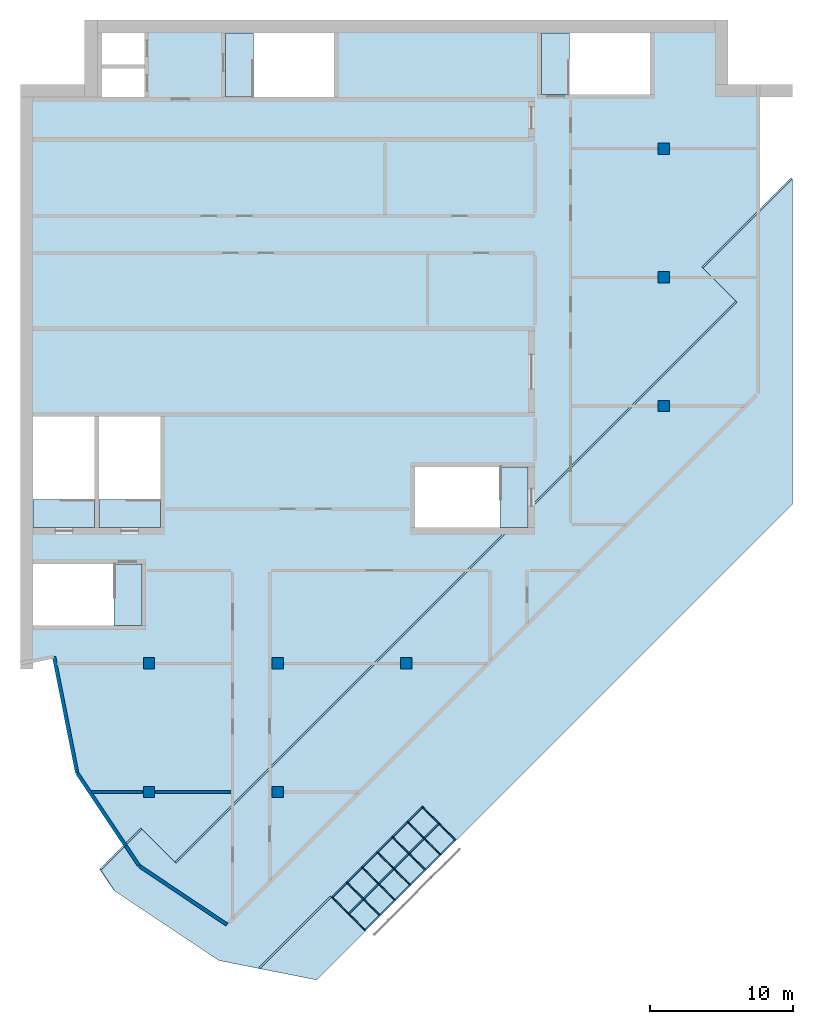
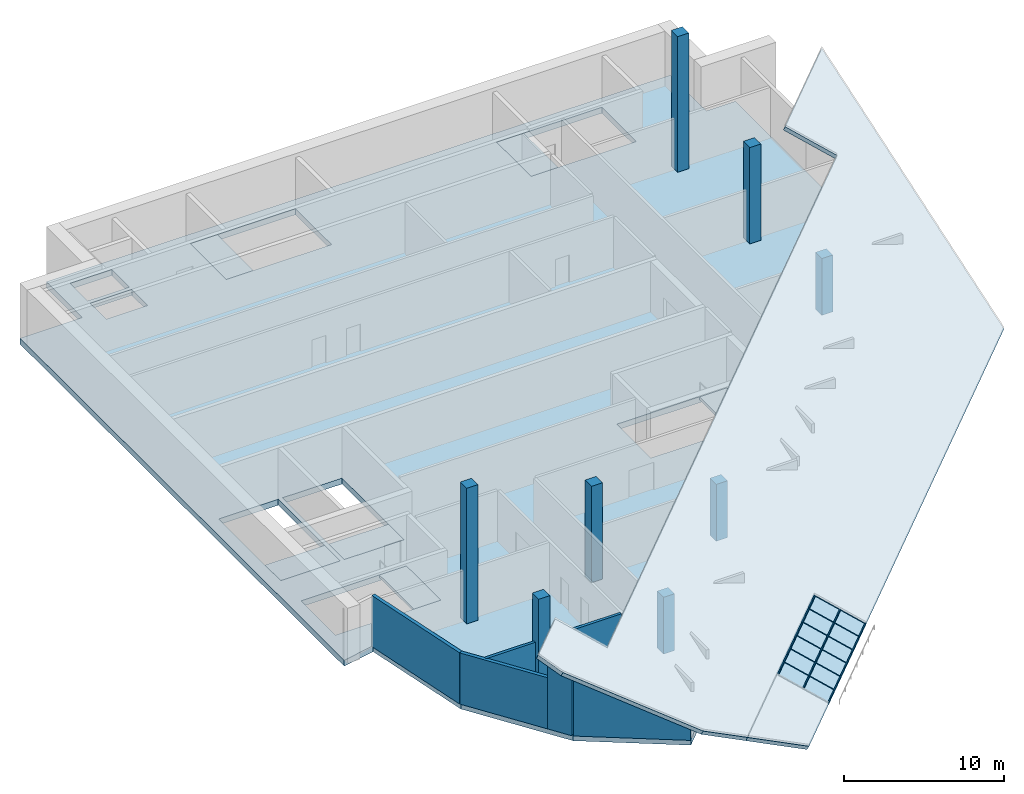
# One storey, part 1 of 5: 17 members, 12 plates, 9 slabs, 8 columns, 6 walls, 1 element without a shape of its own.
"""IFC4 building model written with IfcOpenShell, lengths in metres."""

import ifcopenshell
import ifcopenshell.guid

model = None  # the IFC model being written
_history = None  # IfcOwnerHistory: only IFC2X3 demands one
_inside = {}  # id of a spatial element -> (the spatial element, [elements in it])
_under = {}  # id of a project, library or spatial element -> (it, [spatial elements below it])
_declared = {}  # id of a project -> (the project, [libraries it declares])
_typed = {}  # id of a type object -> (the type object, [elements of that type])
_made_of = {}  # id of a material, layer set ... -> (it, [elements and type objects made of it])


def new_model(schema):
    """Start an empty IFC model of exactly this schema.

    Asked for "IFC4X3", IfcOpenShell would pick the latest addendum, in which some entities
    have other attributes; the version numbers below select the first issue.
    IFC2X3 requires an IfcOwnerHistory on every rooted entity: one is made here for all.
    """
    global model, _history
    if schema == "IFC4X3":
        model = ifcopenshell.file(schema_version=(4, 3, 0, 0))
    else:
        model = ifcopenshell.file(schema=schema)
    _inside.clear()
    _under.clear()
    _declared.clear()
    _typed.clear()
    _made_of.clear()
    _history = None
    if model.schema == "IFC2X3":
        org = make("IfcOrganization", Name="unknown")
        user = make(
            "IfcPersonAndOrganization",
            ThePerson=make("IfcPerson", FamilyName="unknown"),
            TheOrganization=org,
        )
        app = make(
            "IfcApplication",
            ApplicationDeveloper=org,
            Version="unknown",
            ApplicationFullName="unknown",
            ApplicationIdentifier="unknown",
        )
        _history = make(
            "IfcOwnerHistory",
            OwningUser=user,
            OwningApplication=app,
            ChangeAction="ADDED",
            CreationDate=0,
        )
    return model


def make(cls, **values):
    """One entity of the class cls with the attributes given. An attribute that is None is left unset."""
    return model.create_entity(
        cls, **{name: value for name, value in values.items() if value is not None}
    )


def rooted(cls, **values):
    """An entity with a GlobalId (a new one), such as an element, a storey or a relation."""
    return make(cls, GlobalId=ifcopenshell.guid.new(), OwnerHistory=_history, **values)


def si_unit(unit_type, name, prefix=None):
    """IfcSIUnit, for example si_unit("LENGTHUNIT", "METRE", prefix="MILLI")."""
    return make("IfcSIUnit", UnitType=unit_type, Prefix=prefix, Name=name)


def assignment(units):
    """IfcUnitAssignment: the units of a project."""
    return None if units is None else make("IfcUnitAssignment", Units=units)


def point(xyz):
    """IfcCartesianPoint."""
    return None if xyz is None else make("IfcCartesianPoint", Coordinates=xyz)


def direction(xyz):
    """IfcDirection."""
    return None if xyz is None else make("IfcDirection", DirectionRatios=xyz)


def frame(location, z_axis=None, x_axis=None):
    """IfcAxis2Placement3D, a coordinate frame: its origin and axes. An axis left out is left unset."""
    return make(
        "IfcAxis2Placement3D",
        Location=point(location),
        Axis=direction(z_axis),
        RefDirection=direction(x_axis),
    )


def frame_2d(location, x_axis=None):
    """IfcAxis2Placement2D, a coordinate frame in the plane: its origin and x axis."""
    return make(
        "IfcAxis2Placement2D", Location=point(location), RefDirection=direction(x_axis)
    )


def origin():
    """The frame at (0, 0, 0) with its axes left unset."""
    return frame((0.0, 0.0, 0.0))


def origin_2d():
    """The frame at (0, 0) in the plane with its x axis left unset."""
    return frame_2d((0.0, 0.0))


def place(relative_to, where):
    """IfcLocalPlacement: puts the frame where relative to a parent placement (None: the world)."""
    return make(
        "IfcLocalPlacement", PlacementRelTo=relative_to, RelativePlacement=where
    )


def context(
    kind, dimensions, precision=None, world=None, true_north=None, identifier=None
):
    """IfcGeometricRepresentationContext, for example the 3D "Model" context."""
    return make(
        "IfcGeometricRepresentationContext",
        ContextIdentifier=identifier,
        ContextType=kind,
        CoordinateSpaceDimension=dimensions,
        Precision=precision,
        WorldCoordinateSystem=world,
        TrueNorth=true_north,
    )


def subcontext(parent, identifier, kind, view, scale=None):
    """IfcGeometricRepresentationSubContext, for example "Body" below "Model"."""
    return make(
        "IfcGeometricRepresentationSubContext",
        ContextIdentifier=identifier,
        ContextType=kind,
        ParentContext=parent,
        TargetScale=scale,
        TargetView=view,
    )


def project(units=None, contexts=None):
    """IfcProject with its units and contexts."""
    return rooted(
        "IfcProject",
        Name="project",
        RepresentationContexts=contexts,
        UnitsInContext=assignment(units),
    )


def spatial(cls, under=None, at=None, **own):
    """A site, building, storey or space (cls), placed at a placement, below another one or the project."""
    s = rooted(cls, ObjectPlacement=at, **own)
    if under is not None:
        _under.setdefault(under.id(), (under, []))[1].append(s)
    return s


def polyline(points):
    """IfcPolyline through the points."""
    return make("IfcPolyline", Points=[point(p) for p in points])


def profile(cls, at=None, kind="AREA", **sizes):
    """A parametric profile (cls). Its sizes go by their IFC names, for example OverallWidth=200.0."""
    return make(cls, ProfileType=kind, Position=at, **sizes)


def rectangle(**sizes):
    """IfcRectangleProfileDef."""
    return profile("IfcRectangleProfileDef", **sizes)


def outline(outer, holes=None, kind="AREA"):
    """IfcArbitraryClosedProfileDef: a profile drawn as a closed curve; with holes, ...WithVoids."""
    if holes is None:
        return make("IfcArbitraryClosedProfileDef", ProfileType=kind, OuterCurve=outer)
    return make(
        "IfcArbitraryProfileDefWithVoids",
        ProfileType=kind,
        OuterCurve=outer,
        InnerCurves=holes,
    )


def extrude(swept, where, along, depth):
    """IfcExtrudedAreaSolid: the profile swept, set in the frame where, extruded along a direction by depth."""
    return make(
        "IfcExtrudedAreaSolid",
        SweptArea=swept,
        Position=where,
        ExtrudedDirection=direction(along),
        Depth=depth,
    )


def shape(context_of_items, identifier, shape_type, items):
    """IfcShapeRepresentation: the items that make up one representation, for example the "Body"."""
    return make(
        "IfcShapeRepresentation",
        ContextOfItems=context_of_items,
        RepresentationIdentifier=identifier,
        RepresentationType=shape_type,
        Items=items,
    )


def material(Name=None, Category=None):
    """IfcMaterial."""
    return make("IfcMaterial", Name=Name, Category=Category)


def layer(
    of_material, thickness, ventilated=None, Name=None, Category=None, Priority=None
):
    """IfcMaterialLayer: one layer of a wall or slab, of a material (None: an air gap)."""
    return make(
        "IfcMaterialLayer",
        Material=of_material,
        LayerThickness=thickness,
        IsVentilated=ventilated,
        Name=Name,
        Category=Category,
        Priority=Priority,
    )


def layer_set(layers, Name=None):
    """IfcMaterialLayerSet."""
    return make("IfcMaterialLayerSet", MaterialLayers=layers, LayerSetName=Name)


def material_profile(
    of_material, cross_section, Name=None, Category=None, Priority=None
):
    """IfcMaterialProfile: a cross section and its material."""
    return make(
        "IfcMaterialProfile",
        Name=Name,
        Material=of_material,
        Profile=cross_section,
        Priority=Priority,
        Category=Category,
    )


def profile_set(profiles, Name=None, composite=None):
    """IfcMaterialProfileSet."""
    return make(
        "IfcMaterialProfileSet",
        Name=Name,
        MaterialProfiles=profiles,
        CompositeProfile=composite,
    )


def made_of(thing, what):
    """Note that an element or type object is made of a material, layer set ...; save() writes the relation."""
    if what is not None:
        _made_of.setdefault(what.id(), (what, []))[1].append(thing)
    return thing


def type_object(cls, material=None, **own):
    """A type object (cls), such as IfcWallType, which elements share."""
    return made_of(rooted(cls, **own), material)


def element(
    cls,
    number,
    at=None,
    inside=None,
    cuts=None,
    type_object=None,
    material=None,
    context=None,
    identifier="Body",
    shape_type=None,
    held_by="IfcProductDefinitionShape",
    body=None,
    shapes=None,
    **own,
):
    """One element of the class cls, such as IfcWall. Its Tag is "e" and its number.

    at: its placement. inside: the storey or other place that contains it. cuts: it is an
    opening in that element (IfcRelVoidsElement). A single representation is given by context,
    identifier, shape_type and body (its items); several are given by shapes. held_by: the class
    of the entity that holds the representations. save() writes the other relations.
    """
    e = rooted(cls, Tag="e%d" % number, ObjectPlacement=at, **own)
    if body is not None:
        shapes = [shape(context, identifier, shape_type, body)]
    if shapes is not None:
        e.Representation = make(held_by, Representations=shapes)
    if inside is not None:
        _inside.setdefault(inside.id(), (inside, []))[1].append(e)
    if cuts is not None:
        rooted(
            "IfcRelVoidsElement", RelatingBuildingElement=cuts, RelatedOpeningElement=e
        )
    if type_object is not None:
        _typed.setdefault(type_object.id(), (type_object, []))[1].append(e)
    return made_of(e, material)


def aggregate(whole, parts):
    """IfcRelAggregates: a whole, such as a stair, and the parts it consists of."""
    return rooted("IfcRelAggregates", RelatingObject=whole, RelatedObjects=parts)


def save(model, path):
    """Write the relations noted so far, then the file.

    IfcRelAggregates (storeys below a building ...), IfcRelContainedInSpatialStructure (elements
    in a storey), IfcRelDefinesByType, IfcRelAssociatesMaterial and IfcRelDeclares: one each for
    every whole, place, type object, material and project.
    """
    for whole, parts in _under.values():
        aggregate(whole, parts)
    for where, things in _inside.values():
        rooted(
            "IfcRelContainedInSpatialStructure",
            RelatedElements=things,
            RelatingStructure=where,
        )
    for kind, things in _typed.values():
        rooted("IfcRelDefinesByType", RelatedObjects=things, RelatingType=kind)
    for what, things in _made_of.values():
        rooted("IfcRelAssociatesMaterial", RelatedObjects=things, RelatingMaterial=what)
    for by, libraries in _declared.values():
        rooted("IfcRelDeclares", RelatingContext=by, RelatedDefinitions=libraries)
    model.write(path)


model = new_model("IFC4")

# Units and contexts
model_context = context("Model", 3, precision=1e-05, world=origin(), true_north=direction((0.0, 1.0)))
body_context = subcontext(model_context, "Body", "Model", "MODEL_VIEW")
ifc_project = project(units=[si_unit("LENGTHUNIT", "METRE"), si_unit("AREAUNIT", "SQUARE_METRE"), si_unit("VOLUMEUNIT", "CUBIC_METRE"), si_unit("PLANEANGLEUNIT", "RADIAN"), si_unit("MASSUNIT", "GRAM", prefix="KILO")], contexts=[model_context])

# Site, building, storey
site_placement = place(None, origin())
site = spatial("IfcSite", under=ifc_project, at=site_placement, CompositionType="ELEMENT")
building_placement = place(site_placement, origin())
building = spatial("IfcBuilding", under=site, at=building_placement, Name="Hunhe Ridgeline Campus", CompositionType="ELEMENT")
storey_placement = place(building_placement, frame((0.0, 0.0, 307.199951171875)))
storey = spatial("IfcBuildingStorey", under=building, at=storey_placement, Name="L79 Crown", CompositionType="ELEMENT", Elevation=307.199951171875)

# Columns
ifc_material_1 = material(Name="Concrete C50", Category="concrete")
ifc_material_profile_1 = material_profile(ifc_material_1, rectangle(XDim=0.800048828125, YDim=0.800048828125, at=origin_2d()))
ifc_profile_set_1 = profile_set([ifc_material_profile_1], Name="Concrete C50")
column_type = type_object("IfcColumnType", Name="RC column 800x800 Concrete C50", PredefinedType="COLUMN", material=ifc_profile_set_1)
column_1_placement = place(storey_placement, frame((9.0, 45.0, 0.0), z_axis=(0.0, 0.0, 1.0), x_axis=(1.0, 0.0, 0.0)))
element("IfcColumn", 1, at=column_1_placement, inside=storey, type_object=column_type, Name="Column C17 F2 L79 Crown", PredefinedType="COLUMN", context=body_context, shape_type="SweptSolid", body=[
    extrude(rectangle(XDim=0.800048828125, YDim=0.800048828125, at=origin_2d()), origin(), (0.0, 0.0, 1.0), 7.340576171875),
])
column_2_placement = place(storey_placement, frame((9.0, 54.0, 0.0), z_axis=(0.0, 0.0, 1.0), x_axis=(1.0, 0.0, 0.0)))
element("IfcColumn", 2, at=column_2_placement, inside=storey, type_object=column_type, Name="Column C17 G2 L79 Crown", PredefinedType="COLUMN", context=body_context, shape_type="SweptSolid", body=[
    extrude(rectangle(XDim=0.800048828125, YDim=0.800048828125, at=origin_2d()), origin(), (0.0, 0.0, 1.0), 10.3408203125),
])
column_3_placement = place(storey_placement, frame((18.0, 45.0, 0.0), z_axis=(0.0, 0.0, 1.0), x_axis=(1.0, 0.0, 0.0)))
element("IfcColumn", 3, at=column_3_placement, inside=storey, type_object=column_type, Name="Column C17 F3 L79 Crown", PredefinedType="COLUMN", context=body_context, shape_type="SweptSolid", body=[
    extrude(rectangle(XDim=0.800048828125, YDim=0.800048828125, at=origin_2d()), origin(), (0.0, 0.0, 1.0), 4.34033203125),
])
column_4_placement = place(storey_placement, frame((18.0, 54.0, 0.0), z_axis=(0.0, 0.0, 1.0), x_axis=(1.0, 0.0, 0.0)))
element("IfcColumn", 4, at=column_4_placement, inside=storey, type_object=column_type, Name="Column C17 G3 L79 Crown", PredefinedType="COLUMN", context=body_context, shape_type="SweptSolid", body=[
    extrude(rectangle(XDim=0.800048828125, YDim=0.800048828125, at=origin_2d()), origin(), (0.0, 0.0, 1.0), 7.340576171875),
])
for number, where, z_axis, x_axis, name in (
    (5, (27.0, 54.0, 0.0), (0.0, 0.0, 1.0), (1.0, 0.0, 0.0), "Column C17 G4 L79 Crown"),
    (6, (45.0, 72.0, 0.0), (0.0, 0.0, 1.0), (1.0, 0.0, 0.0), "Column C17 I6 L79 Crown"),
):
    element("IfcColumn", number, at=place(storey_placement, frame(where, z_axis=z_axis, x_axis=x_axis)), inside=storey, type_object=column_type, Name=name, PredefinedType="COLUMN", context=body_context, shape_type="SweptSolid", body=[
        extrude(rectangle(XDim=0.800048828125, YDim=0.800048828125, at=origin_2d()), origin(), (0.0, 0.0, 1.0), 4.34033203125),
    ])
column_5_placement = place(storey_placement, frame((45.0, 81.0, 0.0), z_axis=(0.0, 0.0, 1.0), x_axis=(1.0, 0.0, 0.0)))
element("IfcColumn", 7, at=column_5_placement, inside=storey, type_object=column_type, Name="Column C17 J6 L79 Crown", PredefinedType="COLUMN", context=body_context, shape_type="SweptSolid", body=[
    extrude(rectangle(XDim=0.800048828125, YDim=0.800048828125, at=origin_2d()), origin(), (0.0, 0.0, 1.0), 7.340576171875),
])
column_6_placement = place(storey_placement, frame((45.0, 90.0, 0.0), z_axis=(0.0, 0.0, 1.0), x_axis=(1.0, 0.0, 0.0)))
element("IfcColumn", 8, at=column_6_placement, inside=storey, type_object=column_type, Name="Column C17 K6 L79 Crown", PredefinedType="COLUMN", context=body_context, shape_type="SweptSolid", body=[
    extrude(rectangle(XDim=0.800048828125, YDim=0.800048828125, at=origin_2d()), origin(), (0.0, 0.0, 1.0), 10.3408203125),
])

# Curtain wall, members
ifc_material_2 = material(Name="Aluminium 6063", Category="aluminium")
curtain_wall_type = type_object("IfcCurtainWallType", Name="Curtain wall CW-6", PredefinedType="NOTDEFINED", material=ifc_material_2)
curtain_wall_placement = place(storey_placement, origin())
curtain_wall = element("IfcCurtainWall", 9, at=curtain_wall_placement, inside=storey, type_object=curtain_wall_type, Name="Rooflight 1", PredefinedType="NOTDEFINED")
ifc_material_profile_2 = material_profile(ifc_material_2, rectangle(XDim=0.070068359375, YDim=0.199951171875, at=origin_2d()))
ifc_profile_set_2 = profile_set([ifc_material_profile_2], Name="Aluminium 6063")
member_type_1 = type_object("IfcMemberType", Name="CW-6 aluminium mullion", PredefinedType="MULLION", material=ifc_profile_set_2)
member_1_placement = place(storey_placement, frame((30.376220703125, 41.69921875, -0.429443359375), z_axis=(-0.639562831882, 0.639562831882, 0.426519364332), x_axis=(-0.707106781187, -0.707106781187, 0.0)))
member_1 = element("IfcMember", 10, at=member_1_placement, type_object=member_type_1, Name="E-L79 Crown-RL-01/M0-00", PredefinedType="MULLION", context=body_context, shape_type="SweptSolid", body=[
    extrude(rectangle(XDim=0.070068359375, YDim=0.199951171875, at=origin_2d()), origin(), (0.0, 0.0, 1.0), 1.69384765625),
])
member_2_placement = place(storey_placement, frame((29.34033203125, 40.663330078125, -0.429443359375), z_axis=(-0.639562831882, 0.639562831882, 0.426519364332), x_axis=(-0.707106781187, -0.707106781187, 0.0)))
member_2 = element("IfcMember", 11, at=member_2_placement, type_object=member_type_1, Name="E-L79 Crown-RL-01/M0-01", PredefinedType="MULLION", context=body_context, shape_type="SweptSolid", body=[
    extrude(rectangle(XDim=0.070068359375, YDim=0.199951171875, at=origin_2d()), origin(), (0.0, 0.0, 1.0), 1.69384765625),
])
member_3_placement = place(storey_placement, frame((28.279541015625, 39.6025390625, -0.429443359375), z_axis=(-0.639503873019, 0.639648002808, 0.426480045135), x_axis=(-0.707186450701, -0.707027102695, 0.0)))
member_3 = element("IfcMember", 12, at=member_3_placement, type_object=member_type_1, Name="E-L79 Crown-RL-01/M0-02", PredefinedType="MULLION", context=body_context, shape_type="SweptSolid", body=[
    extrude(rectangle(XDim=0.070068359375, YDim=0.199951171875, at=origin_2d()), origin(), (0.0, 0.0, 1.0), 1.69384765625),
])
member_4_placement = place(storey_placement, frame((27.218994140625, 38.5419921875, -0.429443359375), z_axis=(-0.639562831882, 0.639562831882, 0.426519364332), x_axis=(-0.707106781187, -0.707106781187, 0.0)))
member_4 = element("IfcMember", 13, at=member_4_placement, type_object=member_type_1, Name="E-L79 Crown-RL-01/M0-03", PredefinedType="MULLION", context=body_context, shape_type="SweptSolid", body=[
    extrude(rectangle(XDim=0.070068359375, YDim=0.199951171875, at=origin_2d()), origin(), (0.0, 0.0, 1.0), 1.69384765625),
])
member_5_placement = place(storey_placement, frame((26.158203125, 37.4814453125, -0.429443359375), z_axis=(-0.639562831882, 0.639562831882, 0.426519364332), x_axis=(-0.707106781187, -0.707106781187, 0.0)))
member_5 = element("IfcMember", 14, at=member_5_placement, type_object=member_type_1, Name="E-L79 Crown-RL-01/M0-04", PredefinedType="MULLION", context=body_context, shape_type="SweptSolid", body=[
    extrude(rectangle(XDim=0.070068359375, YDim=0.199951171875, at=origin_2d()), origin(), (0.0, 0.0, 1.0), 1.69384765625),
])
member_6_placement = place(storey_placement, frame((25.09765625, 36.420654296875, -0.429443359375), z_axis=(-0.639562831882, 0.639562831882, 0.426519364332), x_axis=(-0.707106781187, -0.707106781187, 0.0)))
member_6 = element("IfcMember", 15, at=member_6_placement, type_object=member_type_1, Name="E-L79 Crown-RL-01/M0-05", PredefinedType="MULLION", context=body_context, shape_type="SweptSolid", body=[
    extrude(rectangle(XDim=0.070068359375, YDim=0.199951171875, at=origin_2d()), origin(), (0.0, 0.0, 1.0), 1.69384765625),
])
member_7_placement = place(storey_placement, frame((24.061767578125, 35.384765625, -0.429443359375), z_axis=(-0.639562831882, 0.639562831882, 0.426519364332), x_axis=(-0.707106781187, -0.707106781187, 0.0)))
member_7 = element("IfcMember", 16, at=member_7_placement, type_object=member_type_1, Name="E-L79 Crown-RL-01/M0-06", PredefinedType="MULLION", context=body_context, shape_type="SweptSolid", body=[
    extrude(rectangle(XDim=0.070068359375, YDim=0.199951171875, at=origin_2d()), origin(), (0.0, 0.0, 1.0), 1.69384765625),
])
member_8_placement = place(storey_placement, frame((29.22216796875, 42.853271484375, 0.340087890625), z_axis=(-0.639602149067, 0.639602149067, 0.426401432711), x_axis=(-0.707106781187, -0.707106781187, 0.0)))
member_8 = element("IfcMember", 17, at=member_8_placement, type_object=member_type_1, Name="E-L79 Crown-RL-01/M1-00", PredefinedType="MULLION", context=body_context, shape_type="SweptSolid", body=[
    extrude(rectangle(XDim=0.070068359375, YDim=0.199951171875, at=origin_2d()), origin(), (0.0, 0.0, 1.0), 1.693603515625),
])
member_9_placement = place(storey_placement, frame((28.186279296875, 41.8173828125, 0.340087890625), z_axis=(-0.639602149067, 0.639602149067, 0.426401432711), x_axis=(-0.707106781187, -0.707106781187, 0.0)))
member_9 = element("IfcMember", 18, at=member_9_placement, type_object=member_type_1, Name="E-L79 Crown-RL-01/M1-01", PredefinedType="MULLION", context=body_context, shape_type="SweptSolid", body=[
    extrude(rectangle(XDim=0.070068359375, YDim=0.199951171875, at=origin_2d()), origin(), (0.0, 0.0, 1.0), 1.693603515625),
])
member_10_placement = place(storey_placement, frame((27.125732421875, 40.756591796875, 0.340087890625), z_axis=(-0.639687317978, 0.63954317933, 0.426362119554), x_axis=(-0.707027102695, -0.707186450701, 0.0)))
member_10 = element("IfcMember", 19, at=member_10_placement, type_object=member_type_1, Name="E-L79 Crown-RL-01/M1-02", PredefinedType="MULLION", context=body_context, shape_type="SweptSolid", body=[
    extrude(rectangle(XDim=0.070068359375, YDim=0.199951171875, at=origin_2d()), origin(), (0.0, 0.0, 1.0), 1.69384765625),
])
member_11_placement = place(storey_placement, frame((26.06494140625, 39.696044921875, 0.340087890625), z_axis=(-0.639602149067, 0.639602149067, 0.426401432711), x_axis=(-0.707106781187, -0.707106781187, 0.0)))
member_11 = element("IfcMember", 20, at=member_11_placement, type_object=member_type_1, Name="E-L79 Crown-RL-01/M1-03", PredefinedType="MULLION", context=body_context, shape_type="SweptSolid", body=[
    extrude(rectangle(XDim=0.070068359375, YDim=0.199951171875, at=origin_2d()), origin(), (0.0, 0.0, 1.0), 1.693603515625),
])
member_12_placement = place(storey_placement, frame((25.00439453125, 38.63525390625, 0.340087890625), z_axis=(-0.639687317978, 0.63954317933, 0.426362119554), x_axis=(-0.707027102695, -0.707186450701, 0.0)))
member_12 = element("IfcMember", 21, at=member_12_placement, type_object=member_type_1, Name="E-L79 Crown-RL-01/M1-04", PredefinedType="MULLION", context=body_context, shape_type="SweptSolid", body=[
    extrude(rectangle(XDim=0.070068359375, YDim=0.199951171875, at=origin_2d()), origin(), (0.0, 0.0, 1.0), 1.69384765625),
])
member_13_placement = place(storey_placement, frame((23.943603515625, 37.57470703125, 0.340087890625), z_axis=(-0.639602149067, 0.639602149067, 0.426401432711), x_axis=(-0.707106781187, -0.707106781187, 0.0)))
member_13 = element("IfcMember", 22, at=member_13_placement, type_object=member_type_1, Name="E-L79 Crown-RL-01/M1-05", PredefinedType="MULLION", context=body_context, shape_type="SweptSolid", body=[
    extrude(rectangle(XDim=0.070068359375, YDim=0.199951171875, at=origin_2d()), origin(), (0.0, 0.0, 1.0), 1.693603515625),
])
member_14_placement = place(storey_placement, frame((22.90771484375, 36.538818359375, 0.340087890625), z_axis=(-0.639602149067, 0.639602149067, 0.426401432711), x_axis=(-0.707106781187, -0.707106781187, 0.0)))
member_14 = element("IfcMember", 23, at=member_14_placement, type_object=member_type_1, Name="E-L79 Crown-RL-01/M1-06", PredefinedType="MULLION", context=body_context, shape_type="SweptSolid", body=[
    extrude(rectangle(XDim=0.070068359375, YDim=0.199951171875, at=origin_2d()), origin(), (0.0, 0.0, 1.0), 1.693603515625),
])
ifc_material_profile_3 = material_profile(ifc_material_2, rectangle(XDim=0.10009765625, YDim=0.159912109375, at=origin_2d()))
ifc_profile_set_3 = profile_set([ifc_material_profile_3], Name="Aluminium 6063")
member_type_2 = type_object("IfcMemberType", Name="CW-6 aluminium transom", PredefinedType="USERDEFINED", material=ifc_profile_set_3)
member_15_placement = place(storey_placement, frame((30.4423828125, 41.6826171875, -0.434814453125), z_axis=(-0.707106781187, -0.707106781187, 0.0), x_axis=(0.707106781187, -0.707106781187, 0.0)))
member_15 = element("IfcMember", 24, at=member_15_placement, type_object=member_type_2, Name="E-L79 Crown-RL-01/T0", ObjectType="TRANSOM", PredefinedType="USERDEFINED", context=body_context, shape_type="SweptSolid", body=[
    extrude(rectangle(XDim=0.10009765625, YDim=0.159912109375, at=origin_2d()), origin(), (0.0, 0.0, 1.0), 9.0),
])
member_16_placement = place(storey_placement, frame((29.288330078125, 42.836669921875, 0.33447265625), z_axis=(-0.707106781187, -0.707106781187, 0.0), x_axis=(0.707106781187, -0.707106781187, 0.0)))
member_16 = element("IfcMember", 25, at=member_16_placement, type_object=member_type_2, Name="E-L79 Crown-RL-01/T1", ObjectType="TRANSOM", PredefinedType="USERDEFINED", context=body_context, shape_type="SweptSolid", body=[
    extrude(rectangle(XDim=0.10009765625, YDim=0.159912109375, at=origin_2d()), origin(), (0.0, 0.0, 1.0), 9.0),
])
member_17_placement = place(storey_placement, frame((28.13427734375, 43.990478515625, 1.10400390625), z_axis=(-0.707120344572, -0.70709321754, 0.0), x_axis=(0.70709321754, -0.707120344572, 0.0)))
member_17 = element("IfcMember", 26, at=member_17_placement, type_object=member_type_2, Name="E-L79 Crown-RL-01/T2", ObjectType="TRANSOM", PredefinedType="USERDEFINED", context=body_context, shape_type="SweptSolid", body=[
    extrude(rectangle(XDim=0.10009765625, YDim=0.159912109375, at=origin_2d()), origin(), (0.0, 0.0, 1.0), 9.0),
])

# Slabs
ifc_material_3 = material(Name="Concrete C40", Category="concrete")
ifc_layer_1 = layer(ifc_material_3, 0.449951171875)
ifc_layer_set_1 = layer_set([ifc_layer_1], Name="Floor slab 450 Concrete C40")
slab_type_1 = type_object("IfcSlabType", Name="Floor slab 450 Concrete C40", PredefinedType="FLOOR", material=ifc_layer_set_1)
slab_1_placement = place(storey_placement, frame((0.0, 0.0, -0.449951171875)))
element("IfcSlab", 27, at=slab_1_placement, inside=storey, type_object=slab_type_1, Name="Floor slab L79 Crown 1", PredefinedType="FLOOR", context=body_context, shape_type="SweptSolid", body=[
    extrude(outline(polyline([(8.321044921875, 39.821044921875), (14.447998046875, 35.727294921875), (51.59912109375, 72.878173828125), (51.59912109375, 94.5), (49.5, 94.5), (49.5, 99.0), (4.5, 99.0), (4.5, 94.5), (0.0, 94.5), (0.0, 54.0009765625), (2.354736328125, 54.46875), (3.974365234375, 46.326416015625), (8.321044921875, 39.821044921875)]), holes=[polyline([(44.050048828125, 98.10009765625), (36.449951171875, 98.10009765625), (36.449951171875, 93.800048828125), (44.050048828125, 93.800048828125), (44.050048828125, 98.10009765625)]), polyline([(27.60009765625, 67.75), (27.60009765625, 63.5), (35.5, 63.5), (35.5, 67.75), (27.60009765625, 67.75)]), polyline([(21.949951171875, 98.10009765625), (14.35009765625, 98.10009765625), (14.35009765625, 93.60009765625), (21.949951171875, 93.60009765625), (21.949951171875, 98.10009765625)]), polyline([(5.5, 63.5), (9.800048828125, 63.5), (9.800048828125, 71.25), (5.5, 71.25), (5.5, 63.5)]), polyline([(5.699951171875, 93.60009765625), (8.699951171875, 93.60009765625), (8.699951171875, 95.60009765625), (5.699951171875, 95.60009765625), (5.699951171875, 93.60009765625)]), polyline([(5.699951171875, 98.10009765625), (5.699951171875, 95.89990234375), (8.699951171875, 95.89990234375), (8.699951171875, 98.10009765625), (5.699951171875, 98.10009765625)]), polyline([(0.89990234375, 60.949951171875), (0.89990234375, 56.64990234375), (8.5, 56.64990234375), (8.5, 60.949951171875), (0.89990234375, 60.949951171875)]), polyline([(5.199951171875, 63.5), (5.199951171875, 71.25), (0.89990234375, 71.25), (0.89990234375, 63.5), (5.199951171875, 63.5)])]), origin(), (0.0, 0.0, 1.0), 0.449951171875),
])
ifc_layer_2 = layer(ifc_material_3, 0.199951171875)
ifc_layer_set_2 = layer_set([ifc_layer_2], Name="Reinforced concrete stair landing 200 Concrete C40")
slab_type_2 = type_object("IfcSlabType", Name="Reinforced concrete stair landing 200 Concrete C40", PredefinedType="LANDING", material=ifc_layer_set_2)
slab_2_placement = place(storey_placement, frame((0.0, 0.0, -0.199951171875)))
element("IfcSlab", 28, at=slab_2_placement, inside=storey, type_object=slab_type_2, Name="L79 Crown stair S1 floor landing", PredefinedType="LANDING", context=body_context, shape_type="SweptSolid", body=[
    extrude(outline(polyline([(14.35009765625, 93.60009765625), (16.300048828125, 93.60009765625), (16.300048828125, 98.10009765625), (14.35009765625, 98.10009765625), (14.35009765625, 93.60009765625)])), origin(), (0.0, 0.0, 1.0), 0.199951171875),
])
slab_3_placement = place(storey_placement, frame((0.0, 0.0, -0.199951171875)))
element("IfcSlab", 29, at=slab_3_placement, inside=storey, type_object=slab_type_2, Name="L79 Crown stair S2 floor landing", PredefinedType="LANDING", context=body_context, shape_type="SweptSolid", body=[
    extrude(outline(polyline([(35.5, 67.75), (33.550048828125, 67.75), (33.550048828125, 63.5), (35.5, 63.5), (35.5, 67.75)])), origin(), (0.0, 0.0, 1.0), 0.199951171875),
])
slab_4_placement = place(storey_placement, frame((0.0, 0.0, -0.199951171875)))
element("IfcSlab", 30, at=slab_4_placement, inside=storey, type_object=slab_type_2, Name="L79 Crown stair S3 floor landing", PredefinedType="LANDING", context=body_context, shape_type="SweptSolid", body=[
    extrude(outline(polyline([(5.199951171875, 63.5), (5.199951171875, 65.449951171875), (0.89990234375, 65.449951171875), (0.89990234375, 63.5), (5.199951171875, 63.5)])), origin(), (0.0, 0.0, 1.0), 0.199951171875),
])
slab_5_placement = place(storey_placement, frame((0.0, 0.0, -0.199951171875)))
element("IfcSlab", 31, at=slab_5_placement, inside=storey, type_object=slab_type_2, Name="L79 Crown stair S4 floor landing", PredefinedType="LANDING", context=body_context, shape_type="SweptSolid", body=[
    extrude(outline(polyline([(9.800048828125, 63.5), (9.800048828125, 65.449951171875), (5.5, 65.449951171875), (5.5, 63.5), (9.800048828125, 63.5)])), origin(), (0.0, 0.0, 1.0), 0.199951171875),
])
slab_6_placement = place(storey_placement, frame((0.0, 0.0, -0.199951171875)))
element("IfcSlab", 32, at=slab_6_placement, inside=storey, type_object=slab_type_2, Name="L79 Crown stair E1 floor landing", PredefinedType="LANDING", context=body_context, shape_type="SweptSolid", body=[
    extrude(outline(polyline([(36.449951171875, 93.800048828125), (38.39990234375, 93.800048828125), (38.39990234375, 98.10009765625), (36.449951171875, 98.10009765625), (36.449951171875, 93.800048828125)])), origin(), (0.0, 0.0, 1.0), 0.199951171875),
])
slab_7_placement = place(storey_placement, frame((0.0, 0.0, -0.199951171875)))
element("IfcSlab", 33, at=slab_7_placement, inside=storey, type_object=slab_type_2, Name="L79 Crown stair W2 floor landing", PredefinedType="LANDING", context=body_context, shape_type="SweptSolid", body=[
    extrude(outline(polyline([(8.5, 60.949951171875), (6.550048828125, 60.949951171875), (6.550048828125, 56.64990234375), (8.5, 56.64990234375), (8.5, 60.949951171875)])), origin(), (0.0, 0.0, 1.0), 0.199951171875),
])
ifc_layer_3 = layer(ifc_material_3, 0.300048828125)
ifc_layer_set_3 = layer_set([ifc_layer_3], Name="Roof slab 300 Concrete C40")
slab_type_3 = type_object("IfcSlabType", Name="Roof slab 300 Concrete C40", PredefinedType="ROOF", material=ifc_layer_set_3)
slab_8_placement = place(storey_placement, frame((24.137939453125, 35.259033203125, -0.385986328125), z_axis=(0.301514491371, -0.30152325098, 0.904529015904), x_axis=(-0.639598600989, 0.639598600886, 0.426412076936)))
element("IfcSlab", 34, at=slab_8_placement, inside=storey, type_object=slab_type_3, Name="Crown roof slab 2", PredefinedType="ROOF", context=body_context, shape_type="SweptSolid", body=[
    extrude(outline(polyline([(0.0, 0.0), (3.719353121789961, 2.5392014879610514e-16), (3.7193531223050096, 7.066234073967909), (0.00015615235338639621, 4.818373381637377), (0.0, 0.0)])), origin(), (0.0, 0.0, -1.0), 0.300048828125),
])
slab_9_placement = place(storey_placement, frame((13.8896484375, 33.212646484375, 2.34814453125), z_axis=(0.301521284285, -0.301520447839, 0.904527685954), x_axis=(0.91315221988, -0.181598718917, -0.364931402616)))
element("IfcSlab", 35, at=slab_9_placement, inside=storey, type_object=slab_type_3, Name="Crown roof slab 3", PredefinedType="ROOF", context=body_context, shape_type="SweptSolid", body=[
    extrude(outline(polyline([(0.0, 0.0), (3.14606336916528, 0.0), (11.456991264434523, 13.749516350264313), (14.639792238091635, 11.825706960353692), (31.830049297215783, 40.26572143909212), (24.928912466489155, 63.240060774810566), (20.364740172273965, 55.688973802435164), (23.54754114593108, 53.76516441252455), (-5.161825922494684, 6.267630647136777), (-8.344626896151798, 8.191440037047396), (-10.450879444212049, 4.706800292761615), (-9.032633527496644, 3.4584241120024335), (0.0, 0.0)])), origin(), (0.0, 0.0, -1.0), 0.300048828125),
])

# Plate
ifc_material_4 = material(Name="Low-e laminated glass", Category="glass")
ifc_layer_4 = layer(ifc_material_4, 0.0400390625)
ifc_layer_set_4 = layer_set([ifc_layer_4], Name="Rooflight glass panel 40 low-e laminated")
plate_type = type_object("IfcPlateType", Name="Rooflight glass panel 40 low-e laminated", PredefinedType="CURTAIN_PANEL", material=ifc_layer_set_4)
plate_1_placement = place(storey_placement, frame((30.381591796875, 41.644287109375, -0.3388671875), z_axis=(0.301511344578, -0.301511344578, 0.904534033733), x_axis=(-0.639602149067, 0.639602149067, 0.426401432711)))
plate_1 = element("IfcPlate", 36, at=plate_1_placement, type_object=plate_type, Name="Rooflight panel 1.1", PredefinedType="CURTAIN_PANEL", context=body_context, shape_type="SweptSolid", body=[
    extrude(outline(polyline([(0.0, 0.0), (1.6936340109323371, 0.0), (1.693634010932337, 1.3948786113250256), (0.0, 1.3948786113250256), (0.0, 0.0)])), origin(), (0.0, 0.0, -1.0), 0.0400390625),
])

plate_2_placement = place(storey_placement, frame((29.345703125, 40.6083984375, -0.3388671875), z_axis=(0.301511344578, -0.301511344578, 0.904534033733), x_axis=(-0.639602149067, 0.639602149067, 0.426401432711)))
plate_2 = element("IfcPlate", 37, at=plate_2_placement, type_object=plate_type, Name="Rooflight panel 1.2", PredefinedType="CURTAIN_PANEL", context=body_context, shape_type="SweptSolid", body=[
    extrude(outline(polyline([(0.0, 0.0), (1.6936340109323371, 0.0), (1.693634010932337, 1.4300958435911524), (0.0, 1.4300958435911524), (0.0, 0.0)])), origin(), (0.0, 0.0, -1.0), 0.0400390625),
])

plate_3_placement = place(storey_placement, frame((28.284912109375, 39.5478515625, -0.3388671875), z_axis=(0.301547745403, -0.301474942954, 0.904534032535), x_axis=(-0.639602149067, 0.639602149067, 0.426401432711)))
plate_3 = element("IfcPlate", 38, at=plate_3_placement, type_object=plate_type, Name="Rooflight panel 1.3", PredefinedType="CURTAIN_PANEL", context=body_context, shape_type="SweptSolid", body=[
    extrude(outline(polyline([(0.0, 0.0), (1.6936340109323371, 3.6469850576981155e-17), (1.6934778580639125, 1.4299232119943703), (-0.00015615286842451948, 1.4299232119943701), (0.0, 0.0)])), origin(), (0.0, 0.0, -1.0), 0.0400390625),
])

plate_4_placement = place(storey_placement, frame((27.224365234375, 38.487060546875, -0.3388671875), z_axis=(0.301511344578, -0.301511344578, 0.904534033733), x_axis=(-0.639602149067, 0.639602149067, 0.426401432711)))
plate_4 = element("IfcPlate", 39, at=plate_4_placement, type_object=plate_type, Name="Rooflight panel 1.4", PredefinedType="CURTAIN_PANEL", context=body_context, shape_type="SweptSolid", body=[
    extrude(outline(polyline([(0.0, 0.0), (1.6936340109323371, 0.0), (1.693634010932337, 1.4300958435911524), (0.0, 1.4300958435911524), (0.0, 0.0)])), origin(), (0.0, 0.0, -1.0), 0.0400390625),
])

plate_5_placement = place(storey_placement, frame((26.16357421875, 37.426513671875, -0.3388671875), z_axis=(0.301547745403, -0.301474942954, 0.904534032535), x_axis=(-0.639602149067, 0.639602149067, 0.426401432711)))
plate_5 = element("IfcPlate", 40, at=plate_5_placement, type_object=plate_type, Name="Rooflight panel 1.5", PredefinedType="CURTAIN_PANEL", context=body_context, shape_type="SweptSolid", body=[
    extrude(outline(polyline([(0.0, 0.0), (1.6936340109323371, 3.6469850576981155e-17), (1.6934778580639125, 1.4299232119943703), (-0.00015615286842451948, 1.4299232119943701), (0.0, 0.0)])), origin(), (0.0, 0.0, -1.0), 0.0400390625),
])

plate_6_placement = place(storey_placement, frame((25.10302734375, 36.36572265625, -0.3388671875), z_axis=(0.301511344578, -0.301511344578, 0.904534033733), x_axis=(-0.639602149067, 0.639602149067, 0.426401432711)))
plate_6 = element("IfcPlate", 41, at=plate_6_placement, type_object=plate_type, Name="Rooflight panel 1.6", PredefinedType="CURTAIN_PANEL", context=body_context, shape_type="SweptSolid", body=[
    extrude(outline(polyline([(0.0, 0.0), (1.6936340109323371, 0.0), (1.693634010932337, 1.3948786113250256), (0.0, 1.3948786113250256), (0.0, 0.0)])), origin(), (0.0, 0.0, -1.0), 0.0400390625),
])

plate_7_placement = place(storey_placement, frame((29.2275390625, 42.79833984375, 0.430419921875), z_axis=(0.301511344578, -0.301511344578, 0.904534033733), x_axis=(-0.639602149067, 0.639602149067, 0.426401432711)))
plate_7 = element("IfcPlate", 42, at=plate_7_placement, type_object=plate_type, Name="Rooflight panel 2.1", PredefinedType="CURTAIN_PANEL", context=body_context, shape_type="SweptSolid", body=[
    extrude(outline(polyline([(0.0, 0.0), (1.6936340109323371, 0.0), (1.693634010932337, 1.3948786113250256), (0.0, 1.3948786113250256), (0.0, 0.0)])), origin(), (0.0, 0.0, -1.0), 0.0400390625),
])

plate_8_placement = place(storey_placement, frame((28.191650390625, 41.762451171875, 0.430419921875), z_axis=(0.301511344578, -0.301511344578, 0.904534033733), x_axis=(-0.639602149067, 0.639602149067, 0.426401432711)))
plate_8 = element("IfcPlate", 43, at=plate_8_placement, type_object=plate_type, Name="Rooflight panel 2.2", PredefinedType="CURTAIN_PANEL", context=body_context, shape_type="SweptSolid", body=[
    extrude(outline(polyline([(0.0, 0.0), (1.6936340109323371, 0.0), (1.693634010932337, 1.4300958435911524), (0.0, 1.4300958435911524), (0.0, 0.0)])), origin(), (0.0, 0.0, -1.0), 0.0400390625),
])

plate_9_placement = place(storey_placement, frame((27.131103515625, 40.70166015625, 0.430419921875), z_axis=(0.301474942954, -0.301547745403, 0.904534032535), x_axis=(-0.639602149067, 0.639602149067, 0.426401432711)))
plate_9 = element("IfcPlate", 44, at=plate_9_placement, type_object=plate_type, Name="Rooflight panel 2.3", PredefinedType="CURTAIN_PANEL", context=body_context, shape_type="SweptSolid", body=[
    extrude(outline(polyline([(0.0, 0.0), (1.6936340109323371, -3.6469850576981155e-17), (1.6937901638007615, 1.4299232119943701), (0.00015615286842451948, 1.4299232119943701), (0.0, 0.0)])), origin(), (0.0, 0.0, -1.0), 0.0400390625),
])

plate_10_placement = place(storey_placement, frame((26.0703125, 39.64111328125, 0.430419921875), z_axis=(0.301511344578, -0.301511344578, 0.904534033733), x_axis=(-0.639602149067, 0.639602149067, 0.426401432711)))
plate_10 = element("IfcPlate", 45, at=plate_10_placement, type_object=plate_type, Name="Rooflight panel 2.4", PredefinedType="CURTAIN_PANEL", context=body_context, shape_type="SweptSolid", body=[
    extrude(outline(polyline([(0.0, 0.0), (1.6936340109323371, 0.0), (1.693634010932337, 1.4300958435911524), (0.0, 1.4300958435911524), (0.0, 0.0)])), origin(), (0.0, 0.0, -1.0), 0.0400390625),
])

plate_11_placement = place(storey_placement, frame((25.009765625, 38.580322265625, 0.430419921875), z_axis=(0.301474942954, -0.301547745403, 0.904534032535), x_axis=(-0.639602149067, 0.639602149067, 0.426401432711)))
plate_11 = element("IfcPlate", 46, at=plate_11_placement, type_object=plate_type, Name="Rooflight panel 2.5", PredefinedType="CURTAIN_PANEL", context=body_context, shape_type="SweptSolid", body=[
    extrude(outline(polyline([(0.0, 0.0), (1.6936340109323371, -3.6469850576981155e-17), (1.6937901638007615, 1.4299232119943701), (0.00015615286842451948, 1.4299232119943701), (0.0, 0.0)])), origin(), (0.0, 0.0, -1.0), 0.0400390625),
])

plate_12_placement = place(storey_placement, frame((23.948974609375, 37.519775390625, 0.430419921875), z_axis=(0.301511344578, -0.301511344578, 0.904534033733), x_axis=(-0.639602149067, 0.639602149067, 0.426401432711)))
plate_12 = element("IfcPlate", 47, at=plate_12_placement, type_object=plate_type, Name="Rooflight panel 2.6", PredefinedType="CURTAIN_PANEL", context=body_context, shape_type="SweptSolid", body=[
    extrude(outline(polyline([(0.0, 0.0), (1.6936340109323371, 0.0), (1.693634010932337, 1.3948786113250256), (0.0, 1.3948786113250256), (0.0, 0.0)])), origin(), (0.0, 0.0, -1.0), 0.0400390625),
])

aggregate(curtain_wall, [member_15, member_16, member_17, member_1, member_2, member_3, member_4, member_5, member_6, member_7, plate_1, plate_2, plate_3, plate_4, plate_5, plate_6, member_8, member_9, member_10, member_11, member_12, member_13, member_14, plate_7, plate_8, plate_9, plate_10, plate_11, plate_12])

# Walls
ifc_material_5 = material(Name="Gypsum board partition")
ifc_layer_5 = layer(ifc_material_5, 0.199951171875)
ifc_layer_set_5 = layer_set([ifc_layer_5], Name="Corridor partition 200 gypsum board on steel studs")
wall_type_1 = type_object("IfcWallType", Name="Corridor partition 200 gypsum board on steel studs", PredefinedType="PARTITIONING", material=ifc_layer_set_5)
wall_1_placement = place(storey_placement, frame((4.96826171875, 45.0, 0.0), z_axis=(0.0, 0.0, 1.0), x_axis=(1.0, 0.0, 0.0)))
element("IfcWall", 48, at=wall_1_placement, inside=storey, type_object=wall_type_1, Name="F-L79 Crown-wall-001", PredefinedType="PARTITIONING", context=body_context, shape_type="SweptSolid", body=[
    extrude(rectangle(XDim=3.581787109375, YDim=0.199951171875, at=frame_2d((1.791015625, 0.0))), origin(), (0.0, 0.0, 1.0), 3.900146484375),
])
wall_2_placement = place(storey_placement, frame((9.449951171875, 45.0, 0.0), z_axis=(0.0, 0.0, 1.0), x_axis=(1.0, 0.0, 0.0)))
element("IfcWall", 49, at=wall_2_placement, inside=storey, type_object=wall_type_1, Name="F-L79 Crown-wall-002", PredefinedType="PARTITIONING", context=body_context, shape_type="SweptSolid", body=[
    extrude(rectangle(XDim=5.300048828125, YDim=0.199951171875, at=frame_2d((2.64990234375, 0.0))), origin(), (0.0, 0.0, 1.0), 3.900146484375),
])
ifc_layer_6 = layer(ifc_material_1, 0.25)
ifc_layer_set_6 = layer_set([ifc_layer_6], Name="Crown cladding wall 250 Concrete C50")
wall_type_2 = type_object("IfcWallType", Name="Crown cladding wall 250 Concrete C50", PredefinedType="SOLIDWALL", material=ifc_layer_set_6)
wall_3_placement = place(storey_placement, frame((2.354736328125, 54.46875, 0.0), z_axis=(0.0, 0.0, 1.0), x_axis=(0.195092405068, -0.980784866056, 0.0)))
element("IfcWall", 50, at=wall_3_placement, inside=storey, type_object=wall_type_2, Name="Crown cladding wall", PredefinedType="SOLIDWALL", context=body_context, shape_type="SweptSolid", body=[
    extrude(rectangle(XDim=8.3017578125, YDim=0.25, at=frame_2d((4.15087890625, 0.0))), origin(), (0.0, 0.0, 1.0), 3.900146484375),
])
wall_4_placement = place(storey_placement, frame((3.974365234375, 46.326416015625, 0.0), z_axis=(0.0, 0.0, 1.0), x_axis=(0.555566786665, -0.831471915073, 0.0)))
element("IfcWall", 51, at=wall_4_placement, inside=storey, type_object=wall_type_2, Name="Crown cladding wall", PredefinedType="SOLIDWALL", context=body_context, shape_type="SweptSolid", body=[
    extrude(rectangle(XDim=6.109130859375, YDim=0.25, at=frame_2d((3.0546875, 0.0))), origin(), (0.0, 0.0, 1.0), 3.900146484375),
])
wall_5_placement = place(storey_placement, frame((7.368408203125, 41.246826171875, 0.0), z_axis=(0.0, 0.0, 1.0), x_axis=(0.555605399775, -0.831446113552, 0.0)))
element("IfcWall", 52, at=wall_5_placement, inside=storey, type_object=wall_type_2, Name="Crown cladding wall", PredefinedType="SOLIDWALL", context=body_context, shape_type="SweptSolid", body=[
    extrude(outline(polyline([(0.0, 0.0), (1.679931640625, 0.0), (1.679931640625, 6.123291015625), (0.0, 6.900146484375), (0.0, 0.0)])), frame((0.0, 0.125, 0.0), z_axis=(0.0, -1.0, 0.0), x_axis=(1.0, 0.0, 0.0)), (0.0, 0.0, 1.0), 0.25),
])
wall_6_placement = place(storey_placement, frame((8.35009765625, 39.8017578125, 0.0), z_axis=(0.0, 0.0, 1.0), x_axis=(0.831471116846, -0.555567981305, 0.0)))
element("IfcWall", 53, at=wall_6_placement, inside=storey, type_object=wall_type_2, Name="Crown cladding wall", PredefinedType="SOLIDWALL", context=body_context, shape_type="SweptSolid", body=[
    extrude(outline(polyline([(0.0, 0.0), (7.333984375, 0.0), (7.333984375, 2.699951171875), (0.0, 6.091064453125), (0.0, 0.0)])), frame((0.0, 0.125, 0.0), z_axis=(0.0, -1.0, 0.0), x_axis=(1.0, 0.0, 0.0)), (0.0, 0.0, 1.0), 0.25),
])

save(model, "model.ifc")
